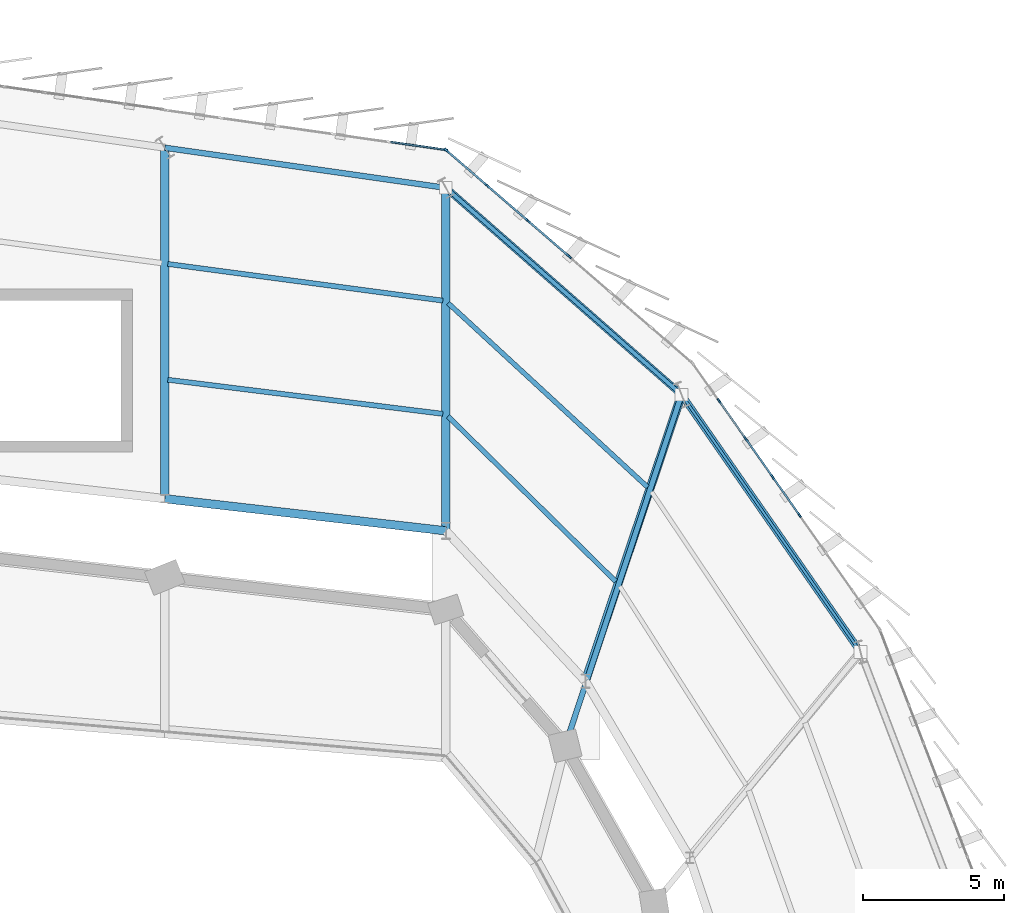
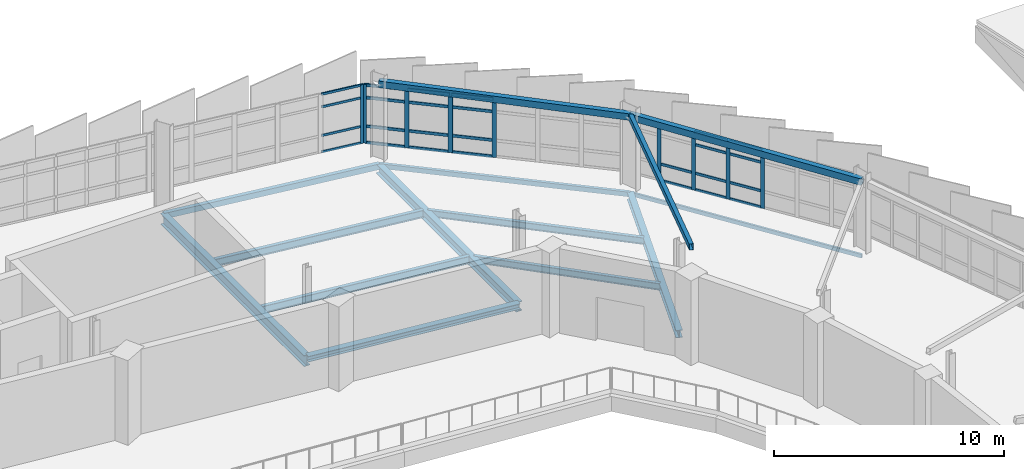
# One storey, part 51 of 87: 38 members, 11 beams, 3 elements without a shape of their own.
"""IFC4 building model written with IfcOpenShell, lengths in metres."""

from ifc_helpers import new_model, si_unit, direction, frame, origin, origin_2d, place, context, subcontext, project, spatial, rectangle, hollow_rectangle, i_section, extrude, material, layer, layer_set, material_profile, profile_set, type_object, element, aggregate, save


model = new_model("IFC4")

# Units and contexts
model_context = context("Model", 3, precision=1e-05, world=origin(), true_north=direction((0.0, 1.0)))
body_context = subcontext(model_context, "Body", "Model", "MODEL_VIEW")
ifc_project = project(units=[si_unit("LENGTHUNIT", "METRE"), si_unit("AREAUNIT", "SQUARE_METRE"), si_unit("VOLUMEUNIT", "CUBIC_METRE"), si_unit("PLANEANGLEUNIT", "RADIAN"), si_unit("MASSUNIT", "GRAM", prefix="KILO")], contexts=[model_context])

# Site, building, storey
site_placement = place(None, origin())
site = spatial("IfcSite", under=ifc_project, at=site_placement, CompositionType="ELEMENT")
building_placement = place(site_placement, origin())
building = spatial("IfcBuilding", under=site, at=building_placement, Name="Sohan Crest Arena", CompositionType="ELEMENT")
storey_placement = place(building_placement, frame((0.0, 0.0, 18.0)))
storey = spatial("IfcBuildingStorey", under=building, at=storey_placement, Name="L04", CompositionType="ELEMENT", Elevation=18.0)

# Curtain wall, members
ifc_material_1 = material(Name="Thermally broken anodised aluminium", Category="aluminium")
ifc_layer_1 = layer(ifc_material_1, 0.199951171875, Name="Thermally broken anodised aluminium")
ifc_layer_set_1 = layer_set([ifc_layer_1], Name="Thermally broken anodised aluminium")
curtain_wall_type_1 = type_object("IfcCurtainWallType", Name="ARC-CW02", PredefinedType="NOTDEFINED", material=ifc_layer_set_1)
curtain_wall_1_placement = place(storey_placement, origin())
curtain_wall_1 = element("IfcCurtainWall", 1, at=curtain_wall_1_placement, inside=storey, type_object=curtain_wall_type_1, Name="Unitised curtain wall CW-137", PredefinedType="NOTDEFINED")
ifc_material_profile_1 = material_profile(ifc_material_1, rectangle(XDim=0.06494140625, YDim=0.179931640625, at=origin_2d()), Name="ALU-MULL 65x180")
ifc_profile_set_1 = profile_set([ifc_material_profile_1], Name="Thermally broken anodised aluminium")
member_type_1 = type_object("IfcMemberType", Name="ARC-CW-ML02", PredefinedType="MULLION", material=ifc_profile_set_1)
member_1_placement = place(storey_placement, frame((180.574462890625, 104.36474609375, 0.0), z_axis=(0.0, 0.0, 1.0), x_axis=(-0.817854574128, -0.575424969546, 0.0)))
member_1 = element("IfcMember", 2, at=member_1_placement, type_object=member_type_1, Name="CW-137 mullion 4", PredefinedType="MULLION", context=body_context, shape_type="SweptSolid", body=[
    extrude(rectangle(XDim=0.06494140625, YDim=0.179931640625, at=origin_2d()), origin(), (0.0, 0.0, 1.0), 3.1201171875),
])
member_2_placement = place(storey_placement, frame((179.622314453125, 105.71826171875, 0.0), z_axis=(0.0, 0.0, 1.0), x_axis=(-0.817854574128, -0.575424969546, 0.0)))
member_2 = element("IfcMember", 3, at=member_2_placement, type_object=member_type_1, Name="CW-137 mullion 5", PredefinedType="MULLION", context=body_context, shape_type="SweptSolid", body=[
    extrude(rectangle(XDim=0.06494140625, YDim=0.179931640625, at=origin_2d()), origin(), (0.0, 0.0, 1.0), 3.1201171875),
])
member_3_placement = place(storey_placement, frame((178.670166015625, 107.071533203125, 0.0), z_axis=(0.0, 0.0, 1.0), x_axis=(-0.817854574128, -0.575424969546, 0.0)))
member_3 = element("IfcMember", 4, at=member_3_placement, type_object=member_type_1, Name="CW-137 mullion 6", PredefinedType="MULLION", context=body_context, shape_type="SweptSolid", body=[
    extrude(rectangle(XDim=0.06494140625, YDim=0.179931640625, at=origin_2d()), origin(), (0.0, 0.0, 1.0), 3.1201171875),
])
member_4_placement = place(storey_placement, frame((177.71826171875, 108.4248046875, 0.0), z_axis=(0.0, 0.0, 1.0), x_axis=(-0.817854574128, -0.575424969546, 0.0)))
member_4 = element("IfcMember", 5, at=member_4_placement, type_object=member_type_1, Name="CW-137 mullion 7", PredefinedType="MULLION", context=body_context, shape_type="SweptSolid", body=[
    extrude(rectangle(XDim=0.06494140625, YDim=0.179931640625, at=origin_2d()), origin(), (0.0, 0.0, 1.0), 3.1201171875),
])

ifc_layer_2 = layer(ifc_material_1, 0.219970703125, Name="Thermally broken anodised aluminium")
ifc_layer_set_2 = layer_set([ifc_layer_2], Name="Thermally broken anodised aluminium")
curtain_wall_type_2 = type_object("IfcCurtainWallType", Name="ARC-CW03", PredefinedType="NOTDEFINED", material=ifc_layer_set_2)
curtain_wall_2_placement = place(storey_placement, origin())
curtain_wall_2 = element("IfcCurtainWall", 6, at=curtain_wall_2_placement, inside=storey, type_object=curtain_wall_type_2, Name="Unitised curtain wall CW-138", PredefinedType="NOTDEFINED")
ifc_material_profile_2 = material_profile(ifc_material_1, rectangle(XDim=0.070068359375, YDim=0.199951171875, at=origin_2d()), Name="ALU-MULL 70x200")
ifc_profile_set_2 = profile_set([ifc_material_profile_2], Name="Thermally broken anodised aluminium")
member_type_2 = type_object("IfcMemberType", Name="ARC-CW-ML03", PredefinedType="MULLION", material=ifc_profile_set_2)
member_5_placement = place(storey_placement, frame((172.383056640625, 113.56396484375, 0.0), z_axis=(0.0, 0.0, 1.0), x_axis=(-0.653687296748, -0.756764770633, 0.0)))
member_5 = element("IfcMember", 7, at=member_5_placement, type_object=member_type_2, Name="CW-138 mullion 4", PredefinedType="MULLION", context=body_context, shape_type="SweptSolid", body=[
    extrude(rectangle(XDim=0.070068359375, YDim=0.199951171875, at=origin_2d()), origin(), (0.0, 0.0, 1.0), 3.1201171875),
])
member_6_placement = place(storey_placement, frame((170.922119140625, 114.825927734375, 0.0), z_axis=(0.0, 0.0, 1.0), x_axis=(-0.653687296748, -0.756764770633, 0.0)))
member_6 = element("IfcMember", 8, at=member_6_placement, type_object=member_type_2, Name="CW-138 mullion 5", PredefinedType="MULLION", context=body_context, shape_type="SweptSolid", body=[
    extrude(rectangle(XDim=0.070068359375, YDim=0.199951171875, at=origin_2d()), origin(), (0.0, 0.0, 1.0), 3.1201171875),
])
member_7_placement = place(storey_placement, frame((169.4609375, 116.087890625, 0.0), z_axis=(0.0, 0.0, 1.0), x_axis=(-0.653687296748, -0.756764770633, 0.0)))
member_7 = element("IfcMember", 9, at=member_7_placement, type_object=member_type_2, Name="CW-138 mullion 6", PredefinedType="MULLION", context=body_context, shape_type="SweptSolid", body=[
    extrude(rectangle(XDim=0.070068359375, YDim=0.199951171875, at=origin_2d()), origin(), (0.0, 0.0, 1.0), 3.1201171875),
])
member_8_placement = place(storey_placement, frame((168.0263671875, 117.3271484375, 0.0), z_axis=(0.0, 0.0, 1.0), x_axis=(-0.653687296748, -0.756764770633, 0.0)))
member_8 = element("IfcMember", 10, at=member_8_placement, type_object=member_type_2, Name="CW-138 mullion 7", PredefinedType="MULLION", context=body_context, shape_type="SweptSolid", body=[
    extrude(rectangle(XDim=0.070068359375, YDim=0.199951171875, at=origin_2d()), origin(), (0.0, 0.0, 1.0), 3.1201171875),
])

ifc_layer_3 = layer(ifc_material_1, 0.239990234375, Name="Thermally broken anodised aluminium")
ifc_layer_set_3 = layer_set([ifc_layer_3], Name="Thermally broken anodised aluminium")
curtain_wall_type_3 = type_object("IfcCurtainWallType", Name="ARC-CW04", PredefinedType="NOTDEFINED", material=ifc_layer_set_3)
curtain_wall_3_placement = place(storey_placement, origin())
curtain_wall_3 = element("IfcCurtainWall", 11, at=curtain_wall_3_placement, inside=storey, type_object=curtain_wall_type_3, Name="Unitised curtain wall CW-139", PredefinedType="NOTDEFINED")
ifc_material_profile_3 = material_profile(ifc_material_1, rectangle(XDim=0.074951171875, YDim=0.219970703125, at=origin_2d()), Name="ALU-MULL 75x220")
ifc_profile_set_3 = profile_set([ifc_material_profile_3], Name="Thermally broken anodised aluminium")
member_type_3 = type_object("IfcMemberType", Name="ARC-CW-ML04", PredefinedType="MULLION", material=ifc_profile_set_3)
member_9_placement = place(storey_placement, frame((167.962890625, 117.355224609375, 0.0), z_axis=(0.0, 0.0, 1.0), x_axis=(-0.141462933734, -0.989943553128, 0.0)))
member_9 = element("IfcMember", 12, at=member_9_placement, type_object=member_type_3, Name="CW-139 mullion 1", PredefinedType="MULLION", context=body_context, shape_type="SweptSolid", body=[
    extrude(rectangle(XDim=0.074951171875, YDim=0.219970703125, at=origin_2d()), origin(), (0.0, 0.0, 1.0), 3.1201171875),
])
ifc_material_profile_4 = material_profile(ifc_material_1, rectangle(XDim=0.06005859375, YDim=0.1201171875, at=origin_2d()), Name="ALU-TRAN 60x120")
ifc_profile_set_4 = profile_set([ifc_material_profile_4], Name="Thermally broken anodised aluminium")
member_type_4 = type_object("IfcMemberType", Name="ARC-CW-TR01", PredefinedType="USERDEFINED", material=ifc_profile_set_4)
member_10_placement = place(storey_placement, frame((167.92578125, 117.360595703125, 0.030029296875), z_axis=(-0.989934132074, 0.141528845666, 0.0), x_axis=(-0.141528845666, -0.989934132074, 0.0)))
member_10 = element("IfcMember", 13, at=member_10_placement, type_object=member_type_4, Name="CW-139 transom 1.1", ObjectType="TRANSOM", PredefinedType="USERDEFINED", context=body_context, shape_type="SweptSolid", body=[
    extrude(rectangle(XDim=0.06005859375, YDim=0.1201171875, at=origin_2d()), origin(), (0.0, 0.0, 1.0), 1.907958984375),
])
member_11_placement = place(storey_placement, frame((167.92578125, 117.360595703125, 0.89990234375), z_axis=(-0.989934132074, 0.141528845666, 0.0), x_axis=(-0.141528845666, -0.989934132074, 0.0)))
member_11 = element("IfcMember", 14, at=member_11_placement, type_object=member_type_4, Name="CW-139 transom 1.2", ObjectType="TRANSOM", PredefinedType="USERDEFINED", context=body_context, shape_type="SweptSolid", body=[
    extrude(rectangle(XDim=0.06005859375, YDim=0.1201171875, at=origin_2d()), origin(), (0.0, 0.0, 1.0), 1.907958984375),
])
member_12_placement = place(storey_placement, frame((167.92578125, 117.360595703125, 2.419921875), z_axis=(-0.989934132074, 0.141528845666, 0.0), x_axis=(-0.141528845666, -0.989934132074, 0.0)))
member_12 = element("IfcMember", 15, at=member_12_placement, type_object=member_type_4, Name="CW-139 transom 1.3", ObjectType="TRANSOM", PredefinedType="USERDEFINED", context=body_context, shape_type="SweptSolid", body=[
    extrude(rectangle(XDim=0.06005859375, YDim=0.1201171875, at=origin_2d()), origin(), (0.0, 0.0, 1.0), 1.907958984375),
])
member_13_placement = place(storey_placement, frame((167.92578125, 117.360595703125, 3.090087890625), z_axis=(-0.989934132074, 0.141528845666, 0.0), x_axis=(-0.141528845666, -0.989934132074, 0.0)))
member_13 = element("IfcMember", 16, at=member_13_placement, type_object=member_type_4, Name="CW-139 transom 1.4", ObjectType="TRANSOM", PredefinedType="USERDEFINED", context=body_context, shape_type="SweptSolid", body=[
    extrude(rectangle(XDim=0.06005859375, YDim=0.1201171875, at=origin_2d()), origin(), (0.0, 0.0, 1.0), 1.907958984375),
])
aggregate(curtain_wall_3, [member_9, member_10, member_11, member_12, member_13])

# Member
ifc_material_profile_5 = material_profile(ifc_material_1, rectangle(XDim=0.06494140625, YDim=0.139892578125, at=origin_2d()), Name="ALU-TRAN 65x140")
ifc_profile_set_5 = profile_set([ifc_material_profile_5], Name="Thermally broken anodised aluminium")
member_type_5 = type_object("IfcMemberType", Name="ARC-CW-TR02", PredefinedType="USERDEFINED", material=ifc_profile_set_5)
member_14_placement = place(storey_placement, frame((180.555908203125, 104.391357421875, 0.032470703125), z_axis=(-0.575398306303, 0.817873333166, 0.0), x_axis=(-0.817873333166, -0.575398306303, 0.0)))
member_14 = element("IfcMember", 17, at=member_14_placement, type_object=member_type_5, Name="CW-137 transom 4.1", ObjectType="TRANSOM", PredefinedType="USERDEFINED", context=body_context, shape_type="SweptSolid", body=[
    extrude(rectangle(XDim=0.06494140625, YDim=0.139892578125, at=origin_2d()), origin(), (0.0, 0.0, 1.0), 1.58984375),
])

member_15_placement = place(storey_placement, frame((180.555908203125, 104.391357421875, 0.89990234375), z_axis=(-0.575398306303, 0.817873333166, 0.0), x_axis=(-0.817873333166, -0.575398306303, 0.0)))
member_15 = element("IfcMember", 18, at=member_15_placement, type_object=member_type_5, Name="CW-137 transom 4.2", ObjectType="TRANSOM", PredefinedType="USERDEFINED", context=body_context, shape_type="SweptSolid", body=[
    extrude(rectangle(XDim=0.06494140625, YDim=0.139892578125, at=origin_2d()), origin(), (0.0, 0.0, 1.0), 1.58984375),
])

member_16_placement = place(storey_placement, frame((180.555908203125, 104.391357421875, 2.419921875), z_axis=(-0.575398306303, 0.817873333166, 0.0), x_axis=(-0.817873333166, -0.575398306303, 0.0)))
member_16 = element("IfcMember", 19, at=member_16_placement, type_object=member_type_5, Name="CW-137 transom 4.3", ObjectType="TRANSOM", PredefinedType="USERDEFINED", context=body_context, shape_type="SweptSolid", body=[
    extrude(rectangle(XDim=0.06494140625, YDim=0.139892578125, at=origin_2d()), origin(), (0.0, 0.0, 1.0), 1.58984375),
])

member_17_placement = place(storey_placement, frame((180.555908203125, 104.391357421875, 3.08740234375), z_axis=(-0.575398306303, 0.817873333166, 0.0), x_axis=(-0.817873333166, -0.575398306303, 0.0)))
member_17 = element("IfcMember", 20, at=member_17_placement, type_object=member_type_5, Name="CW-137 transom 4.4", ObjectType="TRANSOM", PredefinedType="USERDEFINED", context=body_context, shape_type="SweptSolid", body=[
    extrude(rectangle(XDim=0.06494140625, YDim=0.139892578125, at=origin_2d()), origin(), (0.0, 0.0, 1.0), 1.58984375),
])

member_18_placement = place(storey_placement, frame((179.603759765625, 105.74462890625, 0.032470703125), z_axis=(-0.575398306303, 0.817873333166, 0.0), x_axis=(-0.817873333166, -0.575398306303, 0.0)))
member_18 = element("IfcMember", 21, at=member_18_placement, type_object=member_type_5, Name="CW-137 transom 5.1", ObjectType="TRANSOM", PredefinedType="USERDEFINED", context=body_context, shape_type="SweptSolid", body=[
    extrude(rectangle(XDim=0.06494140625, YDim=0.139892578125, at=origin_2d()), origin(), (0.0, 0.0, 1.0), 1.58984375),
])

member_19_placement = place(storey_placement, frame((179.603759765625, 105.74462890625, 0.89990234375), z_axis=(-0.575398306303, 0.817873333166, 0.0), x_axis=(-0.817873333166, -0.575398306303, 0.0)))
member_19 = element("IfcMember", 22, at=member_19_placement, type_object=member_type_5, Name="CW-137 transom 5.2", ObjectType="TRANSOM", PredefinedType="USERDEFINED", context=body_context, shape_type="SweptSolid", body=[
    extrude(rectangle(XDim=0.06494140625, YDim=0.139892578125, at=origin_2d()), origin(), (0.0, 0.0, 1.0), 1.58984375),
])

member_20_placement = place(storey_placement, frame((179.603759765625, 105.74462890625, 2.419921875), z_axis=(-0.575398306303, 0.817873333166, 0.0), x_axis=(-0.817873333166, -0.575398306303, 0.0)))
member_20 = element("IfcMember", 23, at=member_20_placement, type_object=member_type_5, Name="CW-137 transom 5.3", ObjectType="TRANSOM", PredefinedType="USERDEFINED", context=body_context, shape_type="SweptSolid", body=[
    extrude(rectangle(XDim=0.06494140625, YDim=0.139892578125, at=origin_2d()), origin(), (0.0, 0.0, 1.0), 1.58984375),
])

member_21_placement = place(storey_placement, frame((179.603759765625, 105.74462890625, 3.08740234375), z_axis=(-0.575398306303, 0.817873333166, 0.0), x_axis=(-0.817873333166, -0.575398306303, 0.0)))
member_21 = element("IfcMember", 24, at=member_21_placement, type_object=member_type_5, Name="CW-137 transom 5.4", ObjectType="TRANSOM", PredefinedType="USERDEFINED", context=body_context, shape_type="SweptSolid", body=[
    extrude(rectangle(XDim=0.06494140625, YDim=0.139892578125, at=origin_2d()), origin(), (0.0, 0.0, 1.0), 1.58984375),
])

member_22_placement = place(storey_placement, frame((178.651611328125, 107.097900390625, 0.032470703125), z_axis=(-0.575398306303, 0.817873333166, 0.0), x_axis=(-0.817873333166, -0.575398306303, 0.0)))
member_22 = element("IfcMember", 25, at=member_22_placement, type_object=member_type_5, Name="CW-137 transom 6.1", ObjectType="TRANSOM", PredefinedType="USERDEFINED", context=body_context, shape_type="SweptSolid", body=[
    extrude(rectangle(XDim=0.06494140625, YDim=0.139892578125, at=origin_2d()), origin(), (0.0, 0.0, 1.0), 1.58984375),
])

member_23_placement = place(storey_placement, frame((178.651611328125, 107.097900390625, 0.89990234375), z_axis=(-0.575398306303, 0.817873333166, 0.0), x_axis=(-0.817873333166, -0.575398306303, 0.0)))
member_23 = element("IfcMember", 26, at=member_23_placement, type_object=member_type_5, Name="CW-137 transom 6.2", ObjectType="TRANSOM", PredefinedType="USERDEFINED", context=body_context, shape_type="SweptSolid", body=[
    extrude(rectangle(XDim=0.06494140625, YDim=0.139892578125, at=origin_2d()), origin(), (0.0, 0.0, 1.0), 1.58984375),
])

aggregate(curtain_wall_1, [member_1, member_2, member_3, member_4, member_14, member_15, member_16, member_17, member_18, member_19, member_20, member_21, member_22, member_23])

ifc_material_profile_6 = material_profile(ifc_material_1, rectangle(XDim=0.070068359375, YDim=0.14990234375, at=origin_2d()), Name="ALU-TRAN 70x150")
ifc_profile_set_6 = profile_set([ifc_material_profile_6], Name="Thermally broken anodised aluminium")
member_type_6 = type_object("IfcMemberType", Name="ARC-CW-TR03", PredefinedType="USERDEFINED", material=ifc_profile_set_6)
member_24_placement = place(storey_placement, frame((172.3564453125, 113.5869140625, 0.034912109375), z_axis=(-0.756731536301, 0.653725769698, 0.0), x_axis=(-0.653725769698, -0.756731536301, 0.0)))
member_24 = element("IfcMember", 27, at=member_24_placement, type_object=member_type_6, Name="CW-138 transom 4.1", ObjectType="TRANSOM", PredefinedType="USERDEFINED", context=body_context, shape_type="SweptSolid", body=[
    extrude(rectangle(XDim=0.070068359375, YDim=0.14990234375, at=origin_2d()), origin(), (0.0, 0.0, 1.0), 1.860595703125),
])

member_25_placement = place(storey_placement, frame((172.3564453125, 113.5869140625, 0.89990234375), z_axis=(-0.756731536301, 0.653725769698, 0.0), x_axis=(-0.653725769698, -0.756731536301, 0.0)))
member_25 = element("IfcMember", 28, at=member_25_placement, type_object=member_type_6, Name="CW-138 transom 4.2", ObjectType="TRANSOM", PredefinedType="USERDEFINED", context=body_context, shape_type="SweptSolid", body=[
    extrude(rectangle(XDim=0.070068359375, YDim=0.14990234375, at=origin_2d()), origin(), (0.0, 0.0, 1.0), 1.860595703125),
])

member_26_placement = place(storey_placement, frame((172.3564453125, 113.5869140625, 2.419921875), z_axis=(-0.756731536301, 0.653725769698, 0.0), x_axis=(-0.653725769698, -0.756731536301, 0.0)))
member_26 = element("IfcMember", 29, at=member_26_placement, type_object=member_type_6, Name="CW-138 transom 4.3", ObjectType="TRANSOM", PredefinedType="USERDEFINED", context=body_context, shape_type="SweptSolid", body=[
    extrude(rectangle(XDim=0.070068359375, YDim=0.14990234375, at=origin_2d()), origin(), (0.0, 0.0, 1.0), 1.860595703125),
])

member_27_placement = place(storey_placement, frame((172.3564453125, 113.5869140625, 3.0849609375), z_axis=(-0.756731536301, 0.653725769698, 0.0), x_axis=(-0.653725769698, -0.756731536301, 0.0)))
member_27 = element("IfcMember", 30, at=member_27_placement, type_object=member_type_6, Name="CW-138 transom 4.4", ObjectType="TRANSOM", PredefinedType="USERDEFINED", context=body_context, shape_type="SweptSolid", body=[
    extrude(rectangle(XDim=0.070068359375, YDim=0.14990234375, at=origin_2d()), origin(), (0.0, 0.0, 1.0), 1.860595703125),
])

member_28_placement = place(storey_placement, frame((170.8955078125, 114.848876953125, 0.034912109375), z_axis=(-0.756731536301, 0.653725769698, 0.0), x_axis=(-0.653725769698, -0.756731536301, 0.0)))
member_28 = element("IfcMember", 31, at=member_28_placement, type_object=member_type_6, Name="CW-138 transom 5.1", ObjectType="TRANSOM", PredefinedType="USERDEFINED", context=body_context, shape_type="SweptSolid", body=[
    extrude(rectangle(XDim=0.070068359375, YDim=0.14990234375, at=origin_2d()), origin(), (0.0, 0.0, 1.0), 1.860595703125),
])

member_29_placement = place(storey_placement, frame((170.8955078125, 114.848876953125, 0.89990234375), z_axis=(-0.756731536301, 0.653725769698, 0.0), x_axis=(-0.653725769698, -0.756731536301, 0.0)))
member_29 = element("IfcMember", 32, at=member_29_placement, type_object=member_type_6, Name="CW-138 transom 5.2", ObjectType="TRANSOM", PredefinedType="USERDEFINED", context=body_context, shape_type="SweptSolid", body=[
    extrude(rectangle(XDim=0.070068359375, YDim=0.14990234375, at=origin_2d()), origin(), (0.0, 0.0, 1.0), 1.860595703125),
])

member_30_placement = place(storey_placement, frame((170.8955078125, 114.848876953125, 2.419921875), z_axis=(-0.756731536301, 0.653725769698, 0.0), x_axis=(-0.653725769698, -0.756731536301, 0.0)))
member_30 = element("IfcMember", 33, at=member_30_placement, type_object=member_type_6, Name="CW-138 transom 5.3", ObjectType="TRANSOM", PredefinedType="USERDEFINED", context=body_context, shape_type="SweptSolid", body=[
    extrude(rectangle(XDim=0.070068359375, YDim=0.14990234375, at=origin_2d()), origin(), (0.0, 0.0, 1.0), 1.860595703125),
])

member_31_placement = place(storey_placement, frame((170.8955078125, 114.848876953125, 3.0849609375), z_axis=(-0.756731536301, 0.653725769698, 0.0), x_axis=(-0.653725769698, -0.756731536301, 0.0)))
member_31 = element("IfcMember", 34, at=member_31_placement, type_object=member_type_6, Name="CW-138 transom 5.4", ObjectType="TRANSOM", PredefinedType="USERDEFINED", context=body_context, shape_type="SweptSolid", body=[
    extrude(rectangle(XDim=0.070068359375, YDim=0.14990234375, at=origin_2d()), origin(), (0.0, 0.0, 1.0), 1.860595703125),
])

member_32_placement = place(storey_placement, frame((169.4345703125, 116.11083984375, 0.034912109375), z_axis=(-0.756777901776, 0.653672094695, 0.0), x_axis=(-0.653672094695, -0.756777901776, 0.0)))
member_32 = element("IfcMember", 35, at=member_32_placement, type_object=member_type_6, Name="CW-138 transom 6.1", ObjectType="TRANSOM", PredefinedType="USERDEFINED", context=body_context, shape_type="SweptSolid", body=[
    extrude(rectangle(XDim=0.070068359375, YDim=0.14990234375, at=origin_2d()), origin(), (0.0, 0.0, 1.0), 1.82568359375),
])

member_33_placement = place(storey_placement, frame((169.4345703125, 116.11083984375, 0.89990234375), z_axis=(-0.756777901776, 0.653672094695, 0.0), x_axis=(-0.653672094695, -0.756777901776, 0.0)))
member_33 = element("IfcMember", 36, at=member_33_placement, type_object=member_type_6, Name="CW-138 transom 6.2", ObjectType="TRANSOM", PredefinedType="USERDEFINED", context=body_context, shape_type="SweptSolid", body=[
    extrude(rectangle(XDim=0.070068359375, YDim=0.14990234375, at=origin_2d()), origin(), (0.0, 0.0, 1.0), 1.82568359375),
])

member_34_placement = place(storey_placement, frame((169.4345703125, 116.11083984375, 2.419921875), z_axis=(-0.756777901776, 0.653672094695, 0.0), x_axis=(-0.653672094695, -0.756777901776, 0.0)))
member_34 = element("IfcMember", 37, at=member_34_placement, type_object=member_type_6, Name="CW-138 transom 6.3", ObjectType="TRANSOM", PredefinedType="USERDEFINED", context=body_context, shape_type="SweptSolid", body=[
    extrude(rectangle(XDim=0.070068359375, YDim=0.14990234375, at=origin_2d()), origin(), (0.0, 0.0, 1.0), 1.82568359375),
])

member_35_placement = place(storey_placement, frame((169.4345703125, 116.11083984375, 3.0849609375), z_axis=(-0.756777901776, 0.653672094695, 0.0), x_axis=(-0.653672094695, -0.756777901776, 0.0)))
member_35 = element("IfcMember", 38, at=member_35_placement, type_object=member_type_6, Name="CW-138 transom 6.4", ObjectType="TRANSOM", PredefinedType="USERDEFINED", context=body_context, shape_type="SweptSolid", body=[
    extrude(rectangle(XDim=0.070068359375, YDim=0.14990234375, at=origin_2d()), origin(), (0.0, 0.0, 1.0), 1.82568359375),
])

aggregate(curtain_wall_2, [member_5, member_6, member_7, member_8, member_24, member_25, member_26, member_27, member_28, member_29, member_30, member_31, member_32, member_33, member_34, member_35])

# Beams
ifc_material_2 = material(Name="Steel S355", Category="steel")
ifc_material_profile_7 = material_profile(ifc_material_2, i_section(OverallWidth=0.169921875, OverallDepth=0.360107421875, WebThickness=0.008056640625, FlangeThickness=0.0126953125, at=origin_2d()), Name="IPE 360")
ifc_profile_set_7 = profile_set([ifc_material_profile_7], Name="Steel S355")
beam_type_1 = type_object("IfcBeamType", Name="STR-BM-B02", PredefinedType="JOIST", material=ifc_profile_set_7)
beam_1_placement = place(storey_placement, frame((174.0458984375, 101.9951171875, -0.429931640625), z_axis=(-0.712580271708, 0.701590590283, 0.0), x_axis=(-0.701590590283, -0.712580271708, 0.0)))
element("IfcBeam", 39, at=beam_1_placement, inside=storey, type_object=beam_type_1, Name="Structural beam J-L04-1672", PredefinedType="JOIST", context=body_context, shape_type="SweptSolid", body=[
    extrude(i_section(OverallWidth=0.169921875, OverallDepth=0.360107421875, WebThickness=0.008056640625, FlangeThickness=0.0126953125, at=origin_2d()), origin(), (0.0, 0.0, 1.0), 8.375244140625),
])
beam_2_placement = place(storey_placement, frame((175.173095703125, 105.35693359375, -0.429931640625), z_axis=(-0.735036224245, 0.678027837959, 0.0), x_axis=(-0.678027837959, -0.735036224245, 0.0)))
element("IfcBeam", 40, at=beam_2_placement, inside=storey, type_object=beam_type_1, Name="Structural beam J-L04-1673", PredefinedType="JOIST", context=body_context, shape_type="SweptSolid", body=[
    extrude(i_section(OverallWidth=0.169921875, OverallDepth=0.360107421875, WebThickness=0.008056640625, FlangeThickness=0.0126953125, at=origin_2d()), origin(), (0.0, 0.0, 1.0), 9.648681640625),
])
ifc_material_profile_8 = material_profile(ifc_material_2, i_section(OverallWidth=0.179931640625, OverallDepth=0.39990234375, WebThickness=0.008544921875, FlangeThickness=0.013427734375, at=origin_2d()), Name="IPE 400")
ifc_profile_set_8 = profile_set([ifc_material_profile_8], Name="Steel S355")
beam_type_2 = type_object("IfcBeamType", Name="STR-BM-B03", PredefinedType="JOIST", material=ifc_profile_set_8)
beam_3_placement = place(storey_placement, frame((167.89111328125, 107.9619140625, -0.449951171875), z_axis=(-0.992409914467, 0.122973825131, 0.0), x_axis=(-0.122973825131, -0.992409914467, 0.0)))
element("IfcBeam", 41, at=beam_3_placement, inside=storey, type_object=beam_type_2, Name="Structural beam J-L04-1677", PredefinedType="JOIST", context=body_context, shape_type="SweptSolid", body=[
    extrude(i_section(OverallWidth=0.179931640625, OverallDepth=0.39990234375, WebThickness=0.008544921875, FlangeThickness=0.013427734375, at=origin_2d()), origin(), (0.0, 0.0, 1.0), 9.85693359375),
])
beam_4_placement = place(storey_placement, frame((167.89111328125, 111.989013671875, -0.449951171875), z_axis=(-0.991219472477, 0.132226916252, 0.0), x_axis=(-0.132226916252, -0.991219472477, 0.0)))
element("IfcBeam", 42, at=beam_4_placement, inside=storey, type_object=beam_type_2, Name="Structural beam J-L04-1678", PredefinedType="JOIST", context=body_context, shape_type="SweptSolid", body=[
    extrude(i_section(OverallWidth=0.179931640625, OverallDepth=0.39990234375, WebThickness=0.008544921875, FlangeThickness=0.013427734375, at=origin_2d()), origin(), (0.0, 0.0, 1.0), 9.868896484375),
])
ifc_material_profile_9 = material_profile(ifc_material_2, i_section(OverallWidth=0.300048828125, OverallDepth=0.590087890625, WebThickness=0.012939453125, FlangeThickness=0.02490234375, at=origin_2d()), Name="HEA 600")
ifc_profile_set_9 = profile_set([ifc_material_profile_9], Name="Steel S355")
beam_type_3 = type_object("IfcBeamType", Name="STR-BM-B11", PredefinedType="BEAM", material=ifc_profile_set_9)
beam_5_placement = place(storey_placement, frame((158.0, 104.943115234375, -0.544921875), z_axis=(0.0, 1.0, 0.0), x_axis=(-1.0, 0.0, 0.0)))
element("IfcBeam", 43, at=beam_5_placement, inside=storey, type_object=beam_type_3, Name="Structural beam G-L04-1679", PredefinedType="BEAM", context=body_context, shape_type="SweptSolid", body=[
    extrude(i_section(OverallWidth=0.300048828125, OverallDepth=0.590087890625, WebThickness=0.012939453125, FlangeThickness=0.02490234375, at=origin_2d()), origin(), (0.0, 0.0, 1.0), 12.48583984375),
])
ifc_material_profile_10 = material_profile(ifc_material_2, i_section(OverallWidth=0.300048828125, OverallDepth=0.300048828125, WebThickness=0.010986328125, FlangeThickness=0.01904296875, at=origin_2d()), Name="HEB 300")
ifc_profile_set_10 = profile_set([ifc_material_profile_10], Name="Steel S355")
beam_type_4 = type_object("IfcBeamType", Name="STR-BM-B12", PredefinedType="BEAM", material=ifc_profile_set_10)
beam_6_placement = place(storey_placement, frame((168.0, 103.800048828125, -0.39990234375), z_axis=(-0.99353032697, 0.113567114035, 0.0), x_axis=(-0.113567114035, -0.99353032697, 0.0)))
element("IfcBeam", 44, at=beam_6_placement, inside=storey, type_object=beam_type_4, Name="Structural beam G-L04-1675", PredefinedType="BEAM", context=body_context, shape_type="SweptSolid", body=[
    extrude(i_section(OverallWidth=0.300048828125, OverallDepth=0.300048828125, WebThickness=0.010986328125, FlangeThickness=0.01904296875, at=origin_2d()), origin(), (0.0, 0.0, 1.0), 10.065185546875),
])
ifc_material_profile_11 = material_profile(ifc_material_2, i_section(OverallWidth=0.300048828125, OverallDepth=0.39990234375, WebThickness=0.013427734375, FlangeThickness=0.02392578125, at=origin_2d()), Name="HEB 400")
ifc_profile_set_11 = profile_set([ifc_material_profile_11], Name="Steel S355")
beam_type_5 = type_object("IfcBeamType", Name="STR-BM-B13", PredefinedType="BEAM", material=ifc_profile_set_11)
beam_7_placement = place(storey_placement, frame((172.9609375, 98.452880859375, -0.449951171875), z_axis=(0.318297981778, 0.947990714509, 0.0), x_axis=(-0.947990714509, 0.318297981778, 0.0)))
element("IfcBeam", 45, at=beam_7_placement, inside=storey, type_object=beam_type_5, Name="Structural beam G-L04-1669", PredefinedType="BEAM", context=body_context, shape_type="SweptSolid", body=[
    extrude(i_section(OverallWidth=0.300048828125, OverallDepth=0.39990234375, WebThickness=0.013427734375, FlangeThickness=0.02392578125, at=origin_2d()), origin(), (0.0, 0.0, 1.0), 10.751220703125),
])
ifc_material_profile_12 = material_profile(ifc_material_2, i_section(OverallWidth=0.300048828125, OverallDepth=0.5, WebThickness=0.014404296875, FlangeThickness=0.028076171875, at=origin_2d()), Name="HEB 500")
ifc_profile_set_12 = profile_set([ifc_material_profile_12], Name="Steel S355")
beam_type_6 = type_object("IfcBeamType", Name="STR-BM-B14", PredefinedType="BEAM", material=ifc_profile_set_12)
beam_8_placement = place(storey_placement, frame((168.0, 103.800048828125, -0.5), z_axis=(0.0, 1.0, 0.0), x_axis=(-1.0, 0.0, 0.0)))
element("IfcBeam", 46, at=beam_8_placement, inside=storey, type_object=beam_type_6, Name="Structural beam G-L04-1674", PredefinedType="BEAM", context=body_context, shape_type="SweptSolid", body=[
    extrude(i_section(OverallWidth=0.300048828125, OverallDepth=0.5, WebThickness=0.014404296875, FlangeThickness=0.028076171875, at=origin_2d()), origin(), (0.0, 0.0, 1.0), 12.199951171875),
])
ifc_material_profile_13 = material_profile(ifc_material_2, hollow_rectangle(XDim=0.10009765625, YDim=0.199951171875, WallThickness=0.008056640625, at=origin_2d()), Name="RHS 200x100x8")
ifc_profile_set_13 = profile_set([ifc_material_profile_13], Name="Steel S355")
beam_type_7 = type_object("IfcBeamType", Name="STR-BM-SP01", PredefinedType="SPANDREL", material=ifc_profile_set_13)
beam_9_placement = place(storey_placement, frame((182.7490234375, 99.489013671875, -0.35009765625), z_axis=(-0.570857282329, 0.8210493062, 0.0), x_axis=(-0.8210493062, -0.570857282329, 0.0)))
element("IfcBeam", 47, at=beam_9_placement, inside=storey, type_object=beam_type_7, Name="Structural beam SP-L04-1666", PredefinedType="SPANDREL", context=body_context, shape_type="SweptSolid", body=[
    extrude(hollow_rectangle(XDim=0.10009765625, YDim=0.199951171875, WallThickness=0.008056640625, at=origin_2d()), origin(), (0.0, 0.0, 1.0), 11.151611328125),
])
ifc_material_profile_14 = material_profile(ifc_material_2, hollow_rectangle(XDim=0.14990234375, YDim=0.25, WallThickness=0.010009765625, at=origin_2d()), Name="RHS 250x150x10")
ifc_profile_set_14 = profile_set([ifc_material_profile_14], Name="Steel S355")
beam_type_8 = type_object("IfcBeamType", Name="STR-BM-SP02", PredefinedType="SPANDREL", material=ifc_profile_set_14)
beam_10_placement = place(storey_placement, frame((176.383056640625, 108.64501953125, -0.375), z_axis=(-0.751695897988, 0.659509876308, 0.0), x_axis=(-0.659509876308, -0.751695897988, 0.0)))
element("IfcBeam", 48, at=beam_10_placement, inside=storey, type_object=beam_type_8, Name="Structural beam SP-L04-1671", PredefinedType="SPANDREL", context=body_context, shape_type="SweptSolid", body=[
    extrude(hollow_rectangle(XDim=0.14990234375, YDim=0.25, WallThickness=0.010009765625, at=origin_2d()), origin(), (0.0, 0.0, 1.0), 11.152099609375),
])
ifc_material_profile_15 = material_profile(ifc_material_2, hollow_rectangle(XDim=0.199951171875, YDim=0.300048828125, WallThickness=0.010009765625, at=origin_2d()), Name="RHS 300x200x10")
ifc_profile_set_15 = profile_set([ifc_material_profile_15], Name="Steel S355")
beam_type_9 = type_object("IfcBeamType", Name="STR-BM-SP03", PredefinedType="SPANDREL", material=ifc_profile_set_15)
beam_11_placement = place(storey_placement, frame((168.0, 116.0, -0.39990234375), z_axis=(-0.989944175879, 0.141458575718, 0.0), x_axis=(-0.141458575718, -0.989944175879, 0.0)))
element("IfcBeam", 49, at=beam_11_placement, inside=storey, type_object=beam_type_9, Name="Structural beam SP-L04-1676", PredefinedType="SPANDREL", context=body_context, shape_type="SweptSolid", body=[
    extrude(hollow_rectangle(XDim=0.199951171875, YDim=0.300048828125, WallThickness=0.010009765625, at=origin_2d()), origin(), (0.0, 0.0, 1.0), 10.1015625),
])

# Members
ifc_material_profile_16 = material_profile(ifc_material_2, hollow_rectangle(XDim=0.199951171875, YDim=0.300048828125, WallThickness=0.010009765625, at=origin_2d()), Name="RHS 300x200x10")
ifc_profile_set_16 = profile_set([ifc_material_profile_16], Name="Steel S355")
member_type_7 = type_object("IfcMemberType", Name="STR-MEM-CH03", PredefinedType="CHORD", material=ifc_profile_set_16)
member_36_placement = place(storey_placement, frame((172.242919921875, 96.154052734375, 5.824951171875), z_axis=(0.310869013947, 0.937904903913, -0.153931307354), x_axis=(-0.949218110987, 0.314618781661, 0.0)))
element("IfcMember", 50, at=member_36_placement, inside=storey, type_object=member_type_7, Name="Outer roof-edge radial tie chord ORT-27", PredefinedType="CHORD", context=body_context, shape_type="SweptSolid", body=[
    extrude(hollow_rectangle(XDim=0.199951171875, YDim=0.300048828125, WallThickness=0.010009765625, at=origin_2d()), origin(), (0.0, 0.0, 1.0), 13.31787109375),
])
ifc_material_profile_17 = material_profile(ifc_material_2, hollow_rectangle(XDim=0.25, YDim=0.35009765625, WallThickness=0.012451171875, at=origin_2d()), Name="RHS 350x250x12.5")
ifc_profile_set_17 = profile_set([ifc_material_profile_17], Name="Steel S355")
member_type_8 = type_object("IfcMemberType", Name="STR-MEM-CH04", PredefinedType="CHORD", material=ifc_profile_set_17)
member_37_placement = place(storey_placement, frame((182.7490234375, 99.489013671875, 3.633056640625), z_axis=(-0.570811107683, 0.820982894398, 0.012718744144), x_axis=(-0.8210493062, -0.570857282329, 0.0)))
element("IfcMember", 51, at=member_37_placement, inside=storey, type_object=member_type_8, Name="Outer roof-edge truss chord ORB-26", PredefinedType="CHORD", context=body_context, shape_type="SweptSolid", body=[
    extrude(hollow_rectangle(XDim=0.25, YDim=0.35009765625, WallThickness=0.012451171875, at=origin_2d()), origin(), (0.0, 0.0, 1.0), 11.152587890625),
])
member_38_placement = place(storey_placement, frame((176.383056640625, 108.64501953125, 3.77490234375), z_axis=(-0.751544149041, 0.659376737456, 0.0200925395), x_axis=(-0.659509876308, -0.751695897988, 0.0)))
element("IfcMember", 52, at=member_38_placement, inside=storey, type_object=member_type_8, Name="Outer roof-edge truss chord ORB-27", PredefinedType="CHORD", context=body_context, shape_type="SweptSolid", body=[
    extrude(hollow_rectangle(XDim=0.25, YDim=0.35009765625, WallThickness=0.012451171875, at=origin_2d()), origin(), (0.0, 0.0, 1.0), 11.154541015625),
])

save(model, "model.ifc")
